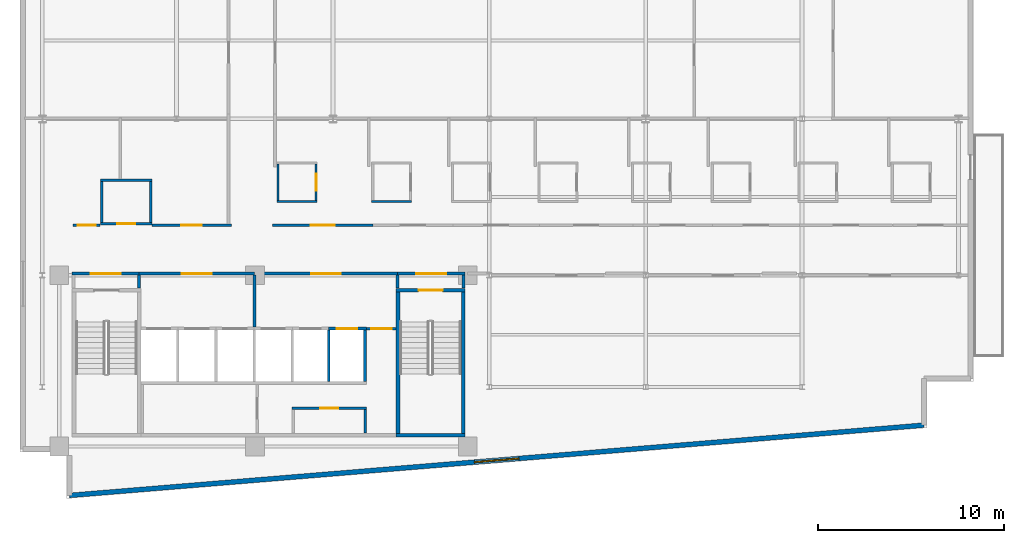
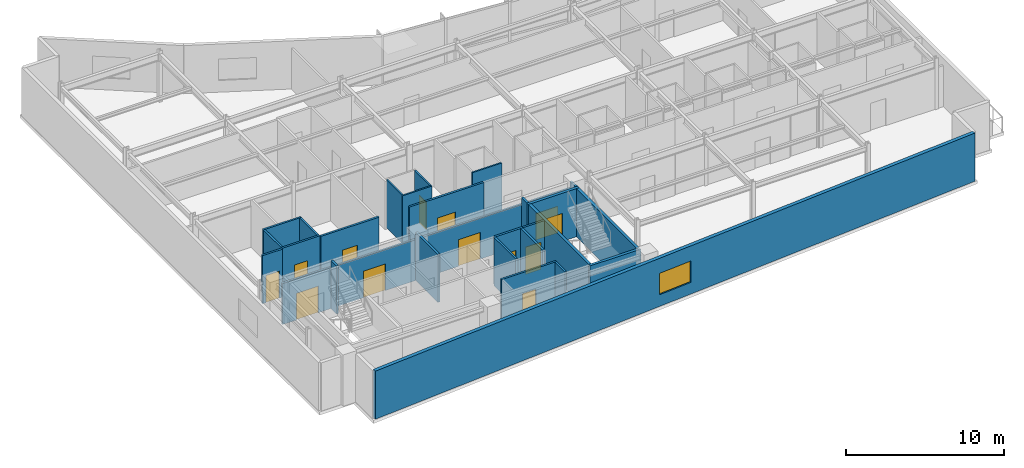
# One storey, part 9 of 15: 30 walls, 13 doors, 1 window, 14 openings.
"""IFC4 building model written with IfcOpenShell, lengths in metres."""

from ifc_helpers import new_model, si_unit, direction, frame, frame_2d, origin, place, context, subcontext, project, spatial, rectangle, extrude, material, layer, layer_set, type_object, element, fill, save


model = new_model("IFC4")

# Units and contexts
model_context = context("Model", 3, precision=1e-05, world=origin(), true_north=direction((0.0, 1.0)))
body_context = subcontext(model_context, "Body", "Model", "MODEL_VIEW")
ifc_project = project(units=[si_unit("LENGTHUNIT", "METRE"), si_unit("AREAUNIT", "SQUARE_METRE"), si_unit("VOLUMEUNIT", "CUBIC_METRE"), si_unit("PLANEANGLEUNIT", "RADIAN"), si_unit("MASSUNIT", "GRAM", prefix="KILO")], contexts=[model_context])

# Site, building, storey
site_placement = place(None, origin())
site = spatial("IfcSite", under=ifc_project, at=site_placement, CompositionType="ELEMENT")
building_placement = place(site_placement, origin())
building = spatial("IfcBuilding", under=site, at=building_placement, Name="Varnakote Quay Hospital", CompositionType="ELEMENT")
storey_placement = place(building_placement, frame((0.0, 0.0, 200.0)))
storey = spatial("IfcBuildingStorey", under=building, at=storey_placement, Name="L49", CompositionType="ELEMENT", Elevation=200.0)

# Wall, opening, door
ifc_material_1 = material(Name="Fire-rated acoustic gypsum stud wall", Category="gypsum")
ifc_layer_1 = layer(ifc_material_1, 0.159912109375)
ifc_layer_set_1 = layer_set([ifc_layer_1], Name="Fire-rated acoustic gypsum stud wall")
wall_type_1 = type_object("IfcWallType", Name="WL-COMP-160", PredefinedType="PARTITIONING", material=ifc_layer_set_1)
wall_1_placement = place(storey_placement, frame((2.800048828125, 12.080078125, 0.0), z_axis=(0.0, 0.0, 1.0), x_axis=(1.0, 0.0, 0.0)))
wall_1 = element("IfcWall", 1, at=wall_1_placement, inside=storey, type_object=wall_type_1, Name="L49 West Stair Vestibule Smoke Wall", PredefinedType="PARTITIONING", context=body_context, shape_type="SweptSolid", body=[
    extrude(rectangle(XDim=3.599853515625, YDim=0.159912109375, at=frame_2d((1.7998046875, 0.0))), origin(), (0.0, 0.0, 1.0), 3.152099609375),
])
opening_1_placement = place(wall_1_placement, frame((1.0, 0.0, 0.0)))
opening_1 = element("IfcOpeningElement", 2, at=opening_1_placement, cuts=wall_1, Name="Opening D-ST1L-L49", PredefinedType="OPENING", context=body_context, shape_type="SweptSolid", body=[
    extrude(rectangle(XDim=1.60009765625, YDim=2.050048828125, at=frame_2d((0.800048828125, 1.02490234375))), frame((0.0, 0.08984375, 0.0), z_axis=(0.0, -1.0, 0.0), x_axis=(1.0, 0.0, 0.0)), (0.0, 0.0, 1.0), 0.179931640625),
])
ifc_material_2 = material(Name="Fire-rated double smoke lobby door")
door_type_1 = type_object("IfcDoorType", Name="DR-LOBBY-FD60S-1600x2150", OperationType="NOTDEFINED", PredefinedType="DOOR", material=ifc_material_2)
door_1_placement = place(opening_1_placement, origin())
door_1 = element("IfcDoor", 3, at=door_1_placement, inside=storey, type_object=door_type_1, Name="L49 West Stair Vestibule Smoke Door", OperationType="DOUBLE_DOOR_SINGLE_SWING", OverallHeight=2.050048828125, OverallWidth=1.60009765625, PredefinedType="DOOR", context=body_context, shape_type="SweptSolid", body=[
    extrude(rectangle(XDim=1.60009765625, YDim=2.050048828125, at=frame_2d((0.800048828125, 1.02490234375))), frame((0.0, 0.02490234375, 0.0), z_axis=(0.0, -1.0, 0.0), x_axis=(1.0, 0.0, 0.0)), (0.0, 0.0, 1.0), 0.050048828125),
])
fill(opening_1, door_1)

# Wall
wall_2_placement = place(storey_placement, frame((6.39990234375, 11.300048828125, 0.0), z_axis=(0.0, 0.0, 1.0), x_axis=(0.0, 1.0, 0.0)))
element("IfcWall", 4, at=wall_2_placement, inside=storey, type_object=wall_type_1, Name="L49 Firefighting Lobby West Wall", PredefinedType="PARTITIONING", context=body_context, shape_type="SweptSolid", body=[
    extrude(rectangle(XDim=0.699951171875, YDim=0.159912109375, at=frame_2d((0.35009765625, 0.0))), origin(), (0.0, 0.0, 1.0), 3.7099609375),
])

# Wall, opening, door
wall_3_placement = place(storey_placement, frame((6.39990234375, 12.080078125, 0.0), z_axis=(0.0, 0.0, 1.0), x_axis=(1.0, 0.0, 0.0)))
wall_3 = element("IfcWall", 5, at=wall_3_placement, inside=storey, type_object=wall_type_1, Name="L49 Firefighting Lift Lobby Compartment Wall", PredefinedType="PARTITIONING", context=body_context, shape_type="SweptSolid", body=[
    extrude(rectangle(XDim=6.18017578125, YDim=0.159912109375, at=frame_2d((3.090087890625, 0.0))), origin(), (0.0, 0.0, 1.0), 3.152099609375),
])
opening_2_placement = place(wall_3_placement, frame((2.2900390625, 0.0, 0.0)))
opening_2 = element("IfcOpeningElement", 6, at=opening_2_placement, cuts=wall_3, Name="Opening D-FFL-L49", PredefinedType="OPENING", context=body_context, shape_type="SweptSolid", body=[
    extrude(rectangle(XDim=1.60009765625, YDim=2.050048828125, at=frame_2d((0.800048828125, 1.02490234375))), frame((0.0, 0.08984375, 0.0), z_axis=(0.0, -1.0, 0.0), x_axis=(1.0, 0.0, 0.0)), (0.0, 0.0, 1.0), 0.179931640625),
])
door_2_placement = place(opening_2_placement, origin())
door_2 = element("IfcDoor", 7, at=door_2_placement, inside=storey, type_object=door_type_1, Name="L49 Firefighting Smoke Vestibule Door", OperationType="DOUBLE_DOOR_SINGLE_SWING", OverallHeight=2.050048828125, OverallWidth=1.60009765625, PredefinedType="DOOR", context=body_context, shape_type="SweptSolid", body=[
    extrude(rectangle(XDim=1.60009765625, YDim=2.050048828125, at=frame_2d((0.800048828125, 1.02490234375))), frame((0.0, 0.02490234375, 0.0), z_axis=(0.0, -1.0, 0.0), x_axis=(1.0, 0.0, 0.0)), (0.0, 0.0, 1.0), 0.050048828125),
])
fill(opening_2, door_2)

# Wall
wall_4_placement = place(storey_placement, frame((12.580078125, 9.2099609375, 0.0), z_axis=(0.0, 0.0, 1.0), x_axis=(0.0, 1.0, 0.0)))
element("IfcWall", 8, at=wall_4_placement, inside=storey, type_object=wall_type_1, Name="L49 Firefighting to Service Lobby Wall", PredefinedType="PARTITIONING", context=body_context, shape_type="SweptSolid", body=[
    extrude(rectangle(XDim=2.7900390625, YDim=0.159912109375, at=frame_2d((1.39501953125, 0.0))), origin(), (0.0, 0.0, 1.0), 3.7099609375),
])

# Wall, opening, door
wall_5_placement = place(storey_placement, frame((12.580078125, 12.080078125, 0.0), z_axis=(0.0, 0.0, 1.0), x_axis=(1.0, 0.0, 0.0)))
wall_5 = element("IfcWall", 9, at=wall_5_placement, inside=storey, type_object=wall_type_1, Name="L49 Clinical Bed Lift Lobby Wall", PredefinedType="PARTITIONING", context=body_context, shape_type="SweptSolid", body=[
    extrude(rectangle(XDim=7.699951171875, YDim=0.159912109375, at=frame_2d((3.85009765625, 0.0))), origin(), (0.0, 0.0, 1.0), 3.152099609375),
])
opening_3_placement = place(wall_5_placement, frame((3.050048828125, 0.0, 0.0)))
opening_3 = element("IfcOpeningElement", 10, at=opening_3_placement, cuts=wall_5, Name="Opening D-SVL-L49", PredefinedType="OPENING", context=body_context, shape_type="SweptSolid", body=[
    extrude(rectangle(XDim=1.60009765625, YDim=2.050048828125, at=frame_2d((0.800048828125, 1.02490234375))), frame((0.0, 0.08984375, 0.0), z_axis=(0.0, -1.0, 0.0), x_axis=(1.0, 0.0, 0.0)), (0.0, 0.0, 1.0), 0.179931640625),
])
door_3_placement = place(opening_3_placement, origin())
door_3 = element("IfcDoor", 11, at=door_3_placement, inside=storey, type_object=door_type_1, Name="L49 Clinical Core Smoke Vestibule Door", OperationType="DOUBLE_DOOR_SINGLE_SWING", OverallHeight=2.050048828125, OverallWidth=1.60009765625, PredefinedType="DOOR", context=body_context, shape_type="SweptSolid", body=[
    extrude(rectangle(XDim=1.60009765625, YDim=2.050048828125, at=frame_2d((0.800048828125, 1.02490234375))), frame((0.0, 0.02490234375, 0.0), z_axis=(0.0, -1.0, 0.0), x_axis=(1.0, 0.0, 0.0)), (0.0, 0.0, 1.0), 0.050048828125),
])
fill(opening_3, door_3)

# Wall
wall_6_placement = place(storey_placement, frame((20.280029296875, 11.300048828125, 0.0), z_axis=(0.0, 0.0, 1.0), x_axis=(0.0, 1.0, 0.0)))
element("IfcWall", 12, at=wall_6_placement, inside=storey, type_object=wall_type_1, Name="L49 East Stair Vestibule Divider Wall", PredefinedType="PARTITIONING", context=body_context, shape_type="SweptSolid", body=[
    extrude(rectangle(XDim=0.699951171875, YDim=0.159912109375, at=frame_2d((0.35009765625, 0.0))), origin(), (0.0, 0.0, 1.0), 3.7099609375),
])

# Wall, opening, door
wall_7_placement = place(storey_placement, frame((20.280029296875, 12.080078125, 0.0), z_axis=(0.0, 0.0, 1.0), x_axis=(1.0, 0.0, 0.0)))
wall_7 = element("IfcWall", 13, at=wall_7_placement, inside=storey, type_object=wall_type_1, Name="L49 East Stair Vestibule Smoke Wall", PredefinedType="PARTITIONING", context=body_context, shape_type="SweptSolid", body=[
    extrude(rectangle(XDim=3.619873046875, YDim=0.159912109375, at=frame_2d((1.81005859375, 0.0))), origin(), (0.0, 0.0, 1.0), 3.152099609375),
])
opening_4_placement = place(wall_7_placement, frame((1.010009765625, 0.0, 0.0)))
opening_4 = element("IfcOpeningElement", 14, at=opening_4_placement, cuts=wall_7, Name="Opening D-ST2L-L49", PredefinedType="OPENING", context=body_context, shape_type="SweptSolid", body=[
    extrude(rectangle(XDim=1.60009765625, YDim=2.050048828125, at=frame_2d((0.800048828125, 1.02490234375))), frame((0.0, 0.08984375, 0.0), z_axis=(0.0, -1.0, 0.0), x_axis=(1.0, 0.0, 0.0)), (0.0, 0.0, 1.0), 0.179931640625),
])
door_4_placement = place(opening_4_placement, origin())
door_4 = element("IfcDoor", 15, at=door_4_placement, inside=storey, type_object=door_type_1, Name="L49 East Stair Vestibule Smoke Door", OperationType="DOUBLE_DOOR_SINGLE_SWING", OverallHeight=2.050048828125, OverallWidth=1.60009765625, PredefinedType="DOOR", context=body_context, shape_type="SweptSolid", body=[
    extrude(rectangle(XDim=1.60009765625, YDim=2.050048828125, at=frame_2d((0.800048828125, 1.02490234375))), frame((0.0, 0.02490234375, 0.0), z_axis=(0.0, -1.0, 0.0), x_axis=(1.0, 0.0, 0.0)), (0.0, 0.0, 1.0), 0.050048828125),
])
fill(opening_4, door_4)

# Walls
wall_8_placement = place(storey_placement, frame((23.820068359375, 11.300048828125, 0.0), z_axis=(0.0, 0.0, 1.0), x_axis=(0.0, 1.0, 0.0)))
element("IfcWall", 16, at=wall_8_placement, inside=storey, type_object=wall_type_1, Name="L49 East Stair Vestibule East Wall", PredefinedType="PARTITIONING", context=body_context, shape_type="SweptSolid", body=[
    extrude(rectangle(XDim=0.699951171875, YDim=0.159912109375, at=frame_2d((0.35009765625, 0.0))), origin(), (0.0, 0.0, 1.0), 3.7099609375),
])
ifc_material_3 = material(Name="Moisture-resistant bathroom partition", Category="gypsum")
ifc_layer_2 = layer(ifc_material_3, 0.114990234375)
ifc_layer_set_2 = layer_set([ifc_layer_2], Name="Moisture-resistant bathroom partition")
wall_type_2 = type_object("IfcWallType", Name="WL-ENS-115", PredefinedType="PARTITIONING", material=ifc_layer_set_2)
wall_9_placement = place(storey_placement, frame((13.804931640625, 15.952392578125, 0.0), z_axis=(0.0, 0.0, 1.0), x_axis=(1.0, 0.0, 0.0)))
element("IfcWall", 17, at=wall_9_placement, inside=storey, type_object=wall_type_2, Name="L49 Inpatient En-Suite Bathroom 01 S Wall", PredefinedType="PARTITIONING", context=body_context, shape_type="SweptSolid", body=[
    extrude(rectangle(XDim=2.150146484375, YDim=0.114990234375, at=frame_2d((1.0751953125, 0.0))), origin(), (0.0, 0.0, 1.0), 3.7099609375),
])
wall_10_placement = place(storey_placement, frame((13.862548828125, 16.010009765625, 0.0), z_axis=(0.0, 0.0, 1.0), x_axis=(0.0, 1.0, 0.0)))
element("IfcWall", 18, at=wall_10_placement, inside=storey, type_object=wall_type_2, Name="L49 Inpatient En-Suite Bathroom 01 W Wall", PredefinedType="PARTITIONING", context=body_context, shape_type="SweptSolid", body=[
    extrude(rectangle(XDim=1.949951171875, YDim=0.114990234375, at=frame_2d((0.97509765625, 0.0))), origin(), (0.0, 0.0, 1.0), 3.7099609375),
])

# Wall, opening, door
wall_11_placement = place(storey_placement, frame((15.8974609375, 16.010009765625, 0.0), z_axis=(0.0, 0.0, 1.0), x_axis=(0.0, 1.0, 0.0)))
wall_11 = element("IfcWall", 19, at=wall_11_placement, inside=storey, type_object=wall_type_2, Name="L49 Inpatient En-Suite Bathroom 01 E Wall", PredefinedType="PARTITIONING", context=body_context, shape_type="SweptSolid", body=[
    extrude(rectangle(XDim=1.949951171875, YDim=0.114990234375, at=frame_2d((0.97509765625, 0.0))), origin(), (0.0, 0.0, 1.0), 3.7099609375),
])
opening_5_placement = place(wall_11_placement, frame((0.514892578125, 0.0, 0.0)))
opening_5 = element("IfcOpeningElement", 20, at=opening_5_placement, cuts=wall_11, Name="Opening D-L49-ENS01", PredefinedType="OPENING", context=body_context, shape_type="SweptSolid", body=[
    extrude(rectangle(XDim=0.919921875, YDim=2.10009765625, at=frame_2d((0.4599609375, 1.050048828125))), frame((0.0, 0.0673828125, 0.0), z_axis=(0.0, -1.0, 0.0), x_axis=(1.0, 0.0, 0.0)), (0.0, 0.0, 1.0), 0.135009765625),
])
ifc_material_4 = material(Name="Moisture-sealed en-suite bathroom door")
door_type_2 = type_object("IfcDoorType", Name="DR-ENS-920x2100", OperationType="NOTDEFINED", PredefinedType="DOOR", material=ifc_material_4)
door_5_placement = place(opening_5_placement, origin())
door_5 = element("IfcDoor", 21, at=door_5_placement, inside=storey, type_object=door_type_2, Name="L49 Inpatient En-Suite Bathroom 01 Door", OperationType="SINGLE_SWING_RIGHT", OverallHeight=2.10009765625, OverallWidth=0.919921875, PredefinedType="DOOR", context=body_context, shape_type="SweptSolid", body=[
    extrude(rectangle(XDim=0.919921875, YDim=2.10009765625, at=frame_2d((0.4599609375, 1.050048828125))), frame((0.0, 0.02490234375, 0.0), z_axis=(0.0, -1.0, 0.0), x_axis=(1.0, 0.0, 0.0)), (0.0, 0.0, 1.0), 0.050048828125),
])
fill(opening_5, door_5)

# Wall
wall_12_placement = place(storey_placement, frame((18.885009765625, 15.952392578125, 0.0), z_axis=(0.0, 0.0, 1.0), x_axis=(1.0, 0.0, 0.0)))
element("IfcWall", 22, at=wall_12_placement, inside=storey, type_object=wall_type_2, Name="L49 Inpatient En-Suite Bathroom 02 S Wall", PredefinedType="PARTITIONING", context=body_context, shape_type="SweptSolid", body=[
    extrude(rectangle(XDim=2.14990234375, YDim=0.114990234375, at=frame_2d((1.074951171875, 0.0))), origin(), (0.0, 0.0, 1.0), 3.7099609375),
])

# Wall, opening, window
ifc_material_5 = material(Name="Precast concrete N50 (f'c 50 MPa)", Category="concrete")
ifc_layer_3 = layer(ifc_material_5, 0.260009765625)
ifc_layer_set_3 = layer_set([ifc_layer_3], Name="Precast concrete N50 (f'c 50 MPa)")
wall_type_3 = type_object("IfcWallType", Name="WL-EXT-BRICK-260", PredefinedType="STANDARD", material=ifc_layer_set_3)
wall_13_placement = place(storey_placement, frame((2.659912109375, 0.173583984375, 0.0), z_axis=(0.0, 0.0, 1.0), x_axis=(0.996634028439, 0.081979347142, 0.0)))
wall_13 = element("IfcWall", 23, at=wall_13_placement, inside=storey, type_object=wall_type_3, Name="L49 Brick-Faced Precast Exterior Wall", PredefinedType="STANDARD", context=body_context, shape_type="SweptSolid", body=[
    extrude(rectangle(XDim=46.03515625, YDim=0.260009765625, at=frame_2d((23.017578125, 0.0))), origin(), (0.0, 0.0, 1.0), 3.7099609375),
])
opening_6_placement = place(wall_13_placement, frame((21.8173828125, 0.0, 0.89990234375)))
opening_6 = element("IfcOpeningElement", 24, at=opening_6_placement, cuts=wall_13, Name="Opening WN-0202", PredefinedType="OPENING", context=body_context, shape_type="SweptSolid", body=[
    extrude(rectangle(XDim=2.39990234375, YDim=1.64990234375, at=frame_2d((1.199951171875, 0.824951171875))), frame((0.0, 0.139892578125, 0.0), z_axis=(0.0, -1.0, 0.0), x_axis=(1.0, 0.0, 0.0)), (0.0, 0.0, 1.0), 0.280029296875),
])
ifc_material_6 = material(Name="Double-glazed low-E solar glass", Category="glass")
window_type = type_object("IfcWindowType", Name="WIN-CLIN-2400x1650", PartitioningType="SINGLE_PANEL", PredefinedType="WINDOW", material=ifc_material_6)
window_placement = place(opening_6_placement, origin())
window = element("IfcWindow", 25, at=window_placement, inside=storey, type_object=window_type, Name="L49 Solar-Control Clinical Window", OverallHeight=1.64990234375, OverallWidth=2.39990234375, PartitioningType="SINGLE_PANEL", PredefinedType="WINDOW", context=body_context, shape_type="SweptSolid", body=[
    extrude(rectangle(XDim=2.39990234375, YDim=1.64990234375, at=frame_2d((1.199951171875, 0.824951171875))), frame((0.0, 0.030029296875, 0.0), z_axis=(0.0, -1.0, 0.0), x_axis=(1.0, 0.0, 0.0)), (0.0, 0.0, 1.0), 0.06005859375),
])
fill(opening_6, window)

# Walls
ifc_material_7 = material(Name="Concrete N50 (f'c 50 MPa)", Category="concrete")
ifc_layer_4 = layer(ifc_material_7, 0.14990234375)
ifc_layer_set_4 = layer_set([ifc_layer_4], Name="Concrete N50 (f'c 50 MPa)")
wall_type_4 = type_object("IfcWallType", Name="WL-SHAFT-N50-150", PredefinedType="SHEAR", material=ifc_layer_set_4)
wall_14_placement = place(storey_placement, frame((16.574951171875, 6.300048828125, 0.0), z_axis=(0.0, 0.0, 1.0), x_axis=(0.0, 1.0, 0.0)))
element("IfcWall", 26, at=wall_14_placement, inside=storey, type_object=wall_type_4, Name="L49 LF-PH1 Hoistway Divider Wall", PredefinedType="SHEAR", context=body_context, shape_type="SweptSolid", body=[
    extrude(rectangle(XDim=2.75, YDim=0.14990234375, at=frame_2d((1.375, 0.0))), origin(), (0.0, 0.0, 1.0), 3.7099609375),
])
ifc_material_8 = material(Name="Concrete N50 (f'c 50 MPa)", Category="concrete")
ifc_layer_5 = layer(ifc_material_8, 0.159912109375)
ifc_layer_set_5 = layer_set([ifc_layer_5], Name="Concrete N50 (f'c 50 MPa)")
wall_type_5 = type_object("IfcWallType", Name="WL-SHAFT-N50-160", PredefinedType="SHEAR", material=ifc_layer_set_5)
wall_15_placement = place(storey_placement, frame((18.530029296875, 6.300048828125, 0.0), z_axis=(0.0, 0.0, 1.0), x_axis=(0.0, 1.0, 0.0)))
element("IfcWall", 27, at=wall_15_placement, inside=storey, type_object=wall_type_5, Name="L49 REAR Lift Bank East Shear Wall", PredefinedType="SHEAR", context=body_context, shape_type="SweptSolid", body=[
    extrude(rectangle(XDim=2.75, YDim=0.159912109375, at=frame_2d((1.375, 0.0))), origin(), (0.0, 0.0, 1.0), 3.7099609375),
])

# Wall, opening, door
wall_16_placement = place(storey_placement, frame((16.574951171875, 9.1298828125, 0.0), z_axis=(0.0, 0.0, 1.0), x_axis=(1.0, 0.0, 0.0)))
wall_16 = element("IfcWall", 28, at=wall_16_placement, inside=storey, type_object=wall_type_5, Name="L49 LF-PH2 Hoistway Front Wall", PredefinedType="SHEAR", context=body_context, shape_type="SweptSolid", body=[
    extrude(rectangle(XDim=2.03515625, YDim=0.159912109375, at=frame_2d((1.017578125, 0.0))), origin(), (0.0, 0.0, 1.0), 3.7099609375),
])
opening_7_placement = place(wall_16_placement, frame((0.425048828125, 0.0, 0.0)))
opening_7 = element("IfcOpeningElement", 29, at=opening_7_placement, cuts=wall_16, Name="Opening LD-PH2-L49", PredefinedType="OPENING", context=body_context, shape_type="SweptSolid", body=[
    extrude(rectangle(XDim=1.10009765625, YDim=2.14990234375, at=frame_2d((0.550048828125, 1.074951171875))), frame((0.0, 0.08984375, 0.0), z_axis=(0.0, -1.0, 0.0), x_axis=(1.0, 0.0, 0.0)), (0.0, 0.0, 1.0), 0.179931640625),
])
ifc_material_9 = material(Name="Brushed bronze lift landing sliding door")
door_type_3 = type_object("IfcDoorType", Name="DR-LIFT-LD-1100x2150", OperationType="NOTDEFINED", PredefinedType="DOOR", material=ifc_material_9)
door_6_placement = place(opening_7_placement, origin())
door_6 = element("IfcDoor", 30, at=door_6_placement, inside=storey, type_object=door_type_3, Name="L49 LF-PH2 Lift Landing Sliding Door", OperationType="SLIDING_TO_LEFT", OverallHeight=2.14990234375, OverallWidth=1.10009765625, PredefinedType="DOOR", context=body_context, shape_type="SweptSolid", body=[
    extrude(rectangle(XDim=1.10009765625, YDim=2.14990234375, at=frame_2d((0.550048828125, 1.074951171875))), frame((0.0, 0.02490234375, 0.0), z_axis=(0.0, -1.0, 0.0), x_axis=(1.0, 0.0, 0.0)), (0.0, 0.0, 1.0), 0.050048828125),
])
fill(opening_7, door_6)

# Walls
ifc_material_10 = material(Name="Concrete N50 (f'c 50 MPa)", Category="concrete")
ifc_layer_6 = layer(ifc_material_10, 0.199951171875)
ifc_layer_set_6 = layer_set([ifc_layer_6], Name="Concrete N50 (f'c 50 MPa)")
wall_type_6 = type_object("IfcWallType", Name="WL-SHAFT-N50-200", PredefinedType="SHEAR", material=ifc_layer_set_6)
wall_17_placement = place(storey_placement, frame((20.199951171875, 3.39990234375, 0.0), z_axis=(0.0, 0.0, 1.0), x_axis=(1.0, 0.0, 0.0)))
element("IfcWall", 31, at=wall_17_placement, inside=storey, type_object=wall_type_6, Name="L49 Stair ST2 South Shaft Wall", PredefinedType="SHEAR", context=body_context, shape_type="SweptSolid", body=[
    extrude(rectangle(XDim=3.699951171875, YDim=0.199951171875, at=frame_2d((1.85009765625, 0.0))), origin(), (0.0, 0.0, 1.0), 3.7099609375),
])
for number, where, z_axis, x_axis, name in (
    (32, (20.300048828125, 3.5, 0.0), (0.0, 0.0, 1.0), (0.0, 1.0, 0.0), "L49 Stair ST2 West Shaft Wall"),
    (33, (23.800048828125, 3.5, 0.0), (0.0, 0.0, 1.0), (0.0, 1.0, 0.0), "L49 Stair ST2 East Shaft Wall"),
):
    element("IfcWall", number, at=place(storey_placement, frame(where, z_axis=z_axis, x_axis=x_axis)), inside=storey, type_object=wall_type_6, Name=name, PredefinedType="SHEAR", context=body_context, shape_type="SweptSolid", body=[
        extrude(rectangle(XDim=7.60009765625, YDim=0.199951171875, at=frame_2d((3.800048828125, 0.0))), origin(), (0.0, 0.0, 1.0), 3.7099609375),
    ])

# Wall, opening, door
wall_18_placement = place(storey_placement, frame((20.199951171875, 11.199951171875, 0.0), z_axis=(0.0, 0.0, 1.0), x_axis=(1.0, 0.0, 0.0)))
wall_18 = element("IfcWall", 34, at=wall_18_placement, inside=storey, type_object=wall_type_6, Name="L49 Stair ST2 Exit Wall", PredefinedType="SHEAR", context=body_context, shape_type="SweptSolid", body=[
    extrude(rectangle(XDim=3.699951171875, YDim=0.199951171875, at=frame_2d((1.85009765625, 0.0))), origin(), (0.0, 0.0, 1.0), 3.7099609375),
])
opening_8_placement = place(wall_18_placement, frame((1.199951171875, 0.0, 0.0)))
opening_8 = element("IfcOpeningElement", 35, at=opening_8_placement, cuts=wall_18, Name="Opening D-ST2-L49", PredefinedType="OPENING", context=body_context, shape_type="SweptSolid", body=[
    extrude(rectangle(XDim=1.300048828125, YDim=2.14990234375, at=frame_2d((0.64990234375, 1.074951171875))), frame((0.0, 0.10986328125, 0.0), z_axis=(0.0, -1.0, 0.0), x_axis=(1.0, 0.0, 0.0)), (0.0, 0.0, 1.0), 0.219970703125),
])
ifc_material_11 = material(Name="Fire-rated ceramic-glazed timber exit door", Category="wood")
door_type_4 = type_object("IfcDoorType", Name="DR-STAIR-FD60S-1300x2150", OperationType="NOTDEFINED", PredefinedType="DOOR", material=ifc_material_11)
door_7_placement = place(opening_8_placement, origin())
door_7 = element("IfcDoor", 36, at=door_7_placement, inside=storey, type_object=door_type_4, Name="L49 Stair ST2 Fire Exit Door", OperationType="SINGLE_SWING_LEFT", OverallHeight=2.14990234375, OverallWidth=1.300048828125, PredefinedType="DOOR", context=body_context, shape_type="SweptSolid", body=[
    extrude(rectangle(XDim=1.300048828125, YDim=2.14990234375, at=frame_2d((0.64990234375, 1.074951171875))), frame((0.0, 0.02490234375, 0.0), z_axis=(0.0, -1.0, 0.0), x_axis=(1.0, 0.0, 0.0)), (0.0, 0.0, 1.0), 0.050048828125),
])
fill(opening_8, door_7)

# Wall
ifc_material_12 = material(Name="Smoke-proof clinical partition", Category="gypsum")
ifc_layer_7 = layer(ifc_material_12, 0.1201171875)
ifc_layer_set_7 = layer_set([ifc_layer_7], Name="Smoke-proof clinical partition")
wall_type_7 = type_object("IfcWallType", Name="WL-SMOKE-120", PredefinedType="PARTITIONING", material=ifc_layer_set_7)
wall_19_placement = place(storey_placement, frame((18.5400390625, 3.52001953125, 0.0), z_axis=(0.0, 0.0, 1.0), x_axis=(0.0, 1.0, 0.0)))
element("IfcWall", 37, at=wall_19_placement, inside=storey, type_object=wall_type_7, Name="L49 Core WC East Wall", PredefinedType="PARTITIONING", context=body_context, shape_type="SweptSolid", body=[
    extrude(rectangle(XDim=1.260009765625, YDim=0.1201171875, at=frame_2d((0.6298828125, 0.0))), origin(), (0.0, 0.0, 1.0), 3.7099609375),
])

# Wall, opening, door
ifc_material_13 = material(Name="Fire-rated clinical gypsum partition", Category="gypsum")
ifc_layer_8 = layer(ifc_material_13, 0.139892578125)
ifc_layer_set_8 = layer_set([ifc_layer_8], Name="Fire-rated clinical gypsum partition")
wall_type_8 = type_object("IfcWallType", Name="WL-WARD-140", PredefinedType="PARTITIONING", material=ifc_layer_set_8)
wall_20_placement = place(storey_placement, frame((14.60009765625, 4.85009765625, 0.0), z_axis=(0.0, 0.0, 1.0), x_axis=(1.0, 0.0, 0.0)))
wall_20 = element("IfcWall", 38, at=wall_20_placement, inside=storey, type_object=wall_type_8, Name="L49 Core Staff Sanitary WC North Wall", PredefinedType="PARTITIONING", context=body_context, shape_type="SweptSolid", body=[
    extrude(rectangle(XDim=4.0, YDim=0.139892578125, at=frame_2d((2.0, 0.0))), origin(), (0.0, 0.0, 1.0), 3.7099609375),
])
opening_9_placement = place(wall_20_placement, frame((1.510009765625, 0.0, 0.0)))
opening_9 = element("IfcOpeningElement", 39, at=opening_9_placement, cuts=wall_20, Name="Opening D-L49-CR02", PredefinedType="OPENING", context=body_context, shape_type="SweptSolid", body=[
    extrude(rectangle(XDim=0.97998046875, YDim=2.10009765625, at=frame_2d((0.489990234375, 1.050048828125))), frame((0.0, 0.079833984375, 0.0), z_axis=(0.0, -1.0, 0.0), x_axis=(1.0, 0.0, 0.0)), (0.0, 0.0, 1.0), 0.159912109375),
])
ifc_material_14 = material(Name="Accessible sanitary compartment door")
door_type_5 = type_object("IfcDoorType", Name="DR-WC-980x2100", OperationType="NOTDEFINED", PredefinedType="DOOR", material=ifc_material_14)
door_8_placement = place(opening_9_placement, origin())
door_8 = element("IfcDoor", 40, at=door_8_placement, inside=storey, type_object=door_type_5, Name="L49 Core Staff Sanitary WC Door", OperationType="SINGLE_SWING_LEFT", OverallHeight=2.10009765625, OverallWidth=0.97998046875, PredefinedType="DOOR", context=body_context, shape_type="SweptSolid", body=[
    extrude(rectangle(XDim=0.97998046875, YDim=2.10009765625, at=frame_2d((0.489990234375, 1.050048828125))), frame((0.0, 0.02490234375, 0.0), z_axis=(0.0, -1.0, 0.0), x_axis=(1.0, 0.0, 0.0)), (0.0, 0.0, 1.0), 0.050048828125),
])
fill(opening_9, door_8)

wall_21_placement = place(storey_placement, frame((18.610107421875, 9.1298828125, 0.0), z_axis=(0.0, 0.0, 1.0), x_axis=(1.0, 0.0, 0.0)))
wall_21 = element("IfcWall", 41, at=wall_21_placement, inside=storey, type_object=wall_type_8, Name="L49 Core Service Corridor North Door Wall", PredefinedType="PARTITIONING", context=body_context, shape_type="SweptSolid", body=[
    extrude(rectangle(XDim=1.58984375, YDim=0.139892578125, at=frame_2d((0.794921875, 0.0))), origin(), (0.0, 0.0, 1.0), 3.7099609375),
])
opening_10_placement = place(wall_21_placement, frame((0.239990234375, 0.0, 0.0)))
opening_10 = element("IfcOpeningElement", 42, at=opening_10_placement, cuts=wall_21, Name="Opening D-CSRV-L49", PredefinedType="OPENING", context=body_context, shape_type="SweptSolid", body=[
    extrude(rectangle(XDim=1.10009765625, YDim=2.10009765625, at=frame_2d((0.550048828125, 1.050048828125))), frame((0.0, 0.079833984375, 0.0), z_axis=(0.0, -1.0, 0.0), x_axis=(1.0, 0.0, 0.0)), (0.0, 0.0, 1.0), 0.159912109375),
])
ifc_material_15 = material(Name="Acoustic timber clinical consult door", Category="wood")
door_type_6 = type_object("IfcDoorType", Name="DR-CLIN-FD30S-1100x2100", OperationType="NOTDEFINED", PredefinedType="DOOR", material=ifc_material_15)
door_9_placement = place(opening_10_placement, origin())
door_9 = element("IfcDoor", 43, at=door_9_placement, inside=storey, type_object=door_type_6, Name="L49 Core Service Corridor Door", OperationType="SINGLE_SWING_RIGHT", OverallHeight=2.10009765625, OverallWidth=1.10009765625, PredefinedType="DOOR", context=body_context, shape_type="SweptSolid", body=[
    extrude(rectangle(XDim=1.10009765625, YDim=2.10009765625, at=frame_2d((0.550048828125, 1.050048828125))), frame((0.0, 0.02490234375, 0.0), z_axis=(0.0, -1.0, 0.0), x_axis=(1.0, 0.0, 0.0)), (0.0, 0.0, 1.0), 0.050048828125),
])
fill(opening_10, door_9)

wall_22_placement = place(storey_placement, frame((4.31005859375, 14.77001953125, 0.0), z_axis=(0.0, 0.0, 1.0), x_axis=(1.0, 0.0, 0.0)))
wall_22 = element("IfcWall", 44, at=wall_22_placement, inside=storey, type_object=wall_type_8, Name="L49 Floor Unisex Accessible WC S Wall", PredefinedType="PARTITIONING", context=body_context, shape_type="SweptSolid", body=[
    extrude(rectangle(XDim=2.780029296875, YDim=0.139892578125, at=frame_2d((1.39013671875, 0.0))), origin(), (0.0, 0.0, 1.0), 3.7099609375),
])
opening_11_placement = place(wall_22_placement, frame((0.89990234375, 0.0, 0.0)))
opening_11 = element("IfcOpeningElement", 45, at=opening_11_placement, cuts=wall_22, Name="Opening D-L49-EW01", PredefinedType="OPENING", context=body_context, shape_type="SweptSolid", body=[
    extrude(rectangle(XDim=0.97998046875, YDim=2.10009765625, at=frame_2d((0.489990234375, 1.050048828125))), frame((0.0, 0.079833984375, 0.0), z_axis=(0.0, -1.0, 0.0), x_axis=(1.0, 0.0, 0.0)), (0.0, 0.0, 1.0), 0.159912109375),
])
door_10_placement = place(opening_11_placement, origin())
door_10 = element("IfcDoor", 46, at=door_10_placement, inside=storey, type_object=door_type_5, Name="L49 Floor Unisex Accessible WC Door", OperationType="SINGLE_SWING_LEFT", OverallHeight=2.10009765625, OverallWidth=0.97998046875, PredefinedType="DOOR", context=body_context, shape_type="SweptSolid", body=[
    extrude(rectangle(XDim=0.97998046875, YDim=2.10009765625, at=frame_2d((0.489990234375, 1.050048828125))), frame((0.0, 0.02490234375, 0.0), z_axis=(0.0, -1.0, 0.0), x_axis=(1.0, 0.0, 0.0)), (0.0, 0.0, 1.0), 0.050048828125),
])
fill(opening_11, door_10)

# Walls
wall_23_placement = place(storey_placement, frame((4.31005859375, 17.110107421875, 0.0), z_axis=(0.0, 0.0, 1.0), x_axis=(1.0, 0.0, 0.0)))
element("IfcWall", 47, at=wall_23_placement, inside=storey, type_object=wall_type_8, Name="L49 Floor Unisex Accessible WC N Wall", PredefinedType="PARTITIONING", context=body_context, shape_type="SweptSolid", body=[
    extrude(rectangle(XDim=2.780029296875, YDim=0.139892578125, at=frame_2d((1.39013671875, 0.0))), origin(), (0.0, 0.0, 1.0), 3.7099609375),
])
for number, where, z_axis, x_axis, name in (
    (48, (4.3798828125, 14.840087890625, 0.0), (0.0, 0.0, 1.0), (0.0, 1.0, 0.0), "L49 Floor Unisex Accessible WC W Wall"),
    (49, (7.02001953125, 14.840087890625, 0.0), (0.0, 0.0, 1.0), (0.0, 1.0, 0.0), "L49 Floor Unisex Accessible WC E Wall"),
):
    element("IfcWall", number, at=place(storey_placement, frame(where, z_axis=z_axis, x_axis=x_axis)), inside=storey, type_object=wall_type_8, Name=name, PredefinedType="PARTITIONING", context=body_context, shape_type="SweptSolid", body=[
        extrude(rectangle(XDim=2.199951171875, YDim=0.139892578125, at=frame_2d((1.10009765625, 0.0))), origin(), (0.0, 0.0, 1.0), 3.7099609375),
    ])

# Wall, opening, door
ifc_material_16 = material(Name="Fire-rated clinical gypsum partition", Category="gypsum")
ifc_layer_9 = layer(ifc_material_16, 0.14990234375)
ifc_layer_set_9 = layer_set([ifc_layer_9], Name="Fire-rated clinical gypsum partition")
wall_type_9 = type_object("IfcWallType", Name="WL-WARD-150", PredefinedType="PARTITIONING", material=ifc_layer_set_9)
wall_24_placement = place(storey_placement, frame((4.30810546875, 14.679931640625, 0.0), z_axis=(0.0, 0.0, 1.0), x_axis=(-1.0, 0.0, 0.0)))
wall_24 = element("IfcWall", 50, at=wall_24_placement, inside=storey, type_object=wall_type_9, Name="L49 Clinical Interior Partition", PredefinedType="PARTITIONING", context=body_context, shape_type="SweptSolid", body=[
    extrude(rectangle(XDim=1.4580078125, YDim=0.14990234375, at=frame_2d((0.72900390625, 0.0))), origin(), (0.0, 0.0, 1.0), 3.7099609375),
])
opening_12_placement = place(wall_24_placement, frame((0.239013671875, 0.0, 0.0)))
opening_12 = element("IfcOpeningElement", 51, at=opening_12_placement, cuts=wall_24, Name="Opening D-L49-MD01", PredefinedType="OPENING", context=body_context, shape_type="SweptSolid", body=[
    extrude(rectangle(XDim=0.97998046875, YDim=2.10009765625, at=frame_2d((0.489990234375, 1.050048828125))), frame((0.0, 0.0849609375, 0.0), z_axis=(0.0, -1.0, 0.0), x_axis=(1.0, 0.0, 0.0)), (0.0, 0.0, 1.0), 0.169921875),
])
door_11_placement = place(opening_12_placement, origin())
door_11 = element("IfcDoor", 52, at=door_11_placement, inside=storey, type_object=door_type_5, Name="L49 Ward Nurse Station Office Door", OperationType="SINGLE_SWING_LEFT", OverallHeight=2.10009765625, OverallWidth=0.97998046875, PredefinedType="DOOR", context=body_context, shape_type="SweptSolid", body=[
    extrude(rectangle(XDim=0.97998046875, YDim=2.10009765625, at=frame_2d((0.489990234375, 1.050048828125))), frame((0.0, 0.02490234375, 0.0), z_axis=(0.0, -1.0, 0.0), x_axis=(1.0, 0.0, 0.0)), (0.0, 0.0, 1.0), 0.050048828125),
])
fill(opening_12, door_11)

wall_25_placement = place(storey_placement, frame((11.345947265625, 14.679931640625, 0.0), z_axis=(0.0, 0.0, 1.0), x_axis=(-1.0, 0.0, 0.0)))
wall_25 = element("IfcWall", 53, at=wall_25_placement, inside=storey, type_object=wall_type_9, Name="L49 Clinical Interior Partition", PredefinedType="PARTITIONING", context=body_context, shape_type="SweptSolid", body=[
    extrude(rectangle(XDim=4.25390625, YDim=0.14990234375, at=frame_2d((2.126953125, 0.0))), origin(), (0.0, 0.0, 1.0), 3.7099609375),
])
opening_13_placement = place(wall_25_placement, frame((1.576904296875, 0.0, 0.0)))
opening_13 = element("IfcOpeningElement", 54, at=opening_13_placement, cuts=wall_25, Name="Opening D-L49-MD02", PredefinedType="OPENING", context=body_context, shape_type="SweptSolid", body=[
    extrude(rectangle(XDim=1.10009765625, YDim=2.10009765625, at=frame_2d((0.550048828125, 1.050048828125))), frame((0.0, 0.0849609375, 0.0), z_axis=(0.0, -1.0, 0.0), x_axis=(1.0, 0.0, 0.0)), (0.0, 0.0, 1.0), 0.169921875),
])
door_12_placement = place(opening_13_placement, origin())
door_12 = element("IfcDoor", 55, at=door_12_placement, inside=storey, type_object=door_type_6, Name="L49 Cardiology Telemetry Treatment Suite Door", OperationType="SINGLE_SWING_RIGHT", OverallHeight=2.10009765625, OverallWidth=1.10009765625, PredefinedType="DOOR", context=body_context, shape_type="SweptSolid", body=[
    extrude(rectangle(XDim=1.10009765625, YDim=2.10009765625, at=frame_2d((0.550048828125, 1.050048828125))), frame((0.0, 0.02490234375, 0.0), z_axis=(0.0, -1.0, 0.0), x_axis=(1.0, 0.0, 0.0)), (0.0, 0.0, 1.0), 0.050048828125),
])
fill(opening_13, door_12)

wall_26_placement = place(storey_placement, frame((18.966064453125, 14.679931640625, 0.0), z_axis=(0.0, 0.0, 1.0), x_axis=(-1.0, 0.0, 0.0)))
wall_26 = element("IfcWall", 56, at=wall_26_placement, inside=storey, type_object=wall_type_9, Name="L49 Clinical Interior Partition", PredefinedType="PARTITIONING", context=body_context, shape_type="SweptSolid", body=[
    extrude(rectangle(XDim=5.412109375, YDim=0.14990234375, at=frame_2d((2.7060546875, 0.0))), origin(), (0.0, 0.0, 1.0), 3.7099609375),
])
opening_14_placement = place(wall_26_placement, frame((2.055908203125, 0.0, 0.0)))
opening_14 = element("IfcOpeningElement", 57, at=opening_14_placement, cuts=wall_26, Name="Opening D-L49-BR01", PredefinedType="OPENING", context=body_context, shape_type="SweptSolid", body=[
    extrude(rectangle(XDim=1.300048828125, YDim=2.14990234375, at=frame_2d((0.64990234375, 1.074951171875))), frame((0.0, 0.0849609375, 0.0), z_axis=(0.0, -1.0, 0.0), x_axis=(1.0, 0.0, 0.0)), (0.0, 0.0, 1.0), 0.169921875),
])
ifc_material_17 = material(Name="Solid-core timber clinical bed door", Category="wood")
door_type_7 = type_object("IfcDoorType", Name="DR-WARD-FD30S-1300x2150", OperationType="NOTDEFINED", PredefinedType="DOOR", material=ifc_material_17)
door_13_placement = place(opening_14_placement, origin())
door_13 = element("IfcDoor", 58, at=door_13_placement, inside=storey, type_object=door_type_7, Name="L49 Resident Care Bedroom 01 Door", OperationType="SINGLE_SWING_LEFT", OverallHeight=2.14990234375, OverallWidth=1.300048828125, PredefinedType="DOOR", context=body_context, shape_type="SweptSolid", body=[
    extrude(rectangle(XDim=1.300048828125, YDim=2.14990234375, at=frame_2d((0.64990234375, 1.074951171875))), frame((0.0, 0.02490234375, 0.0), z_axis=(0.0, -1.0, 0.0), x_axis=(1.0, 0.0, 0.0)), (0.0, 0.0, 1.0), 0.050048828125),
])
fill(opening_14, door_13)

save(model, "model.ifc")
